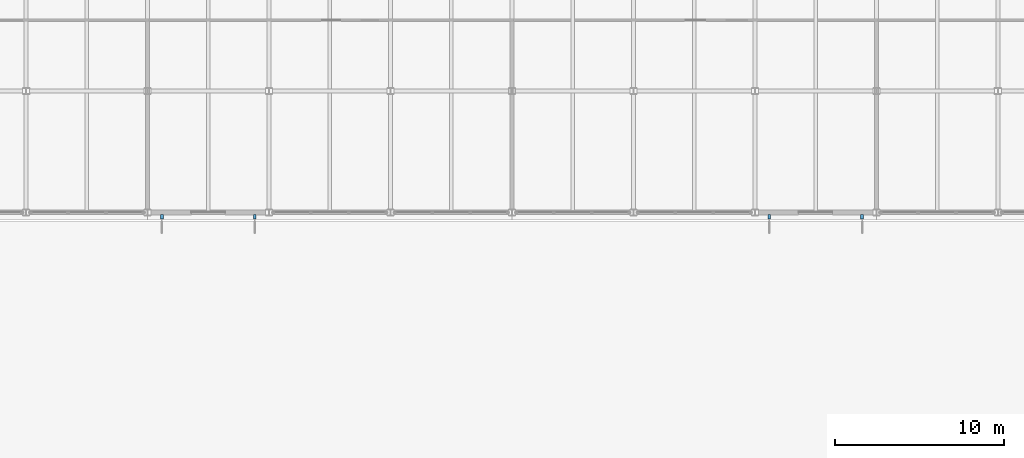
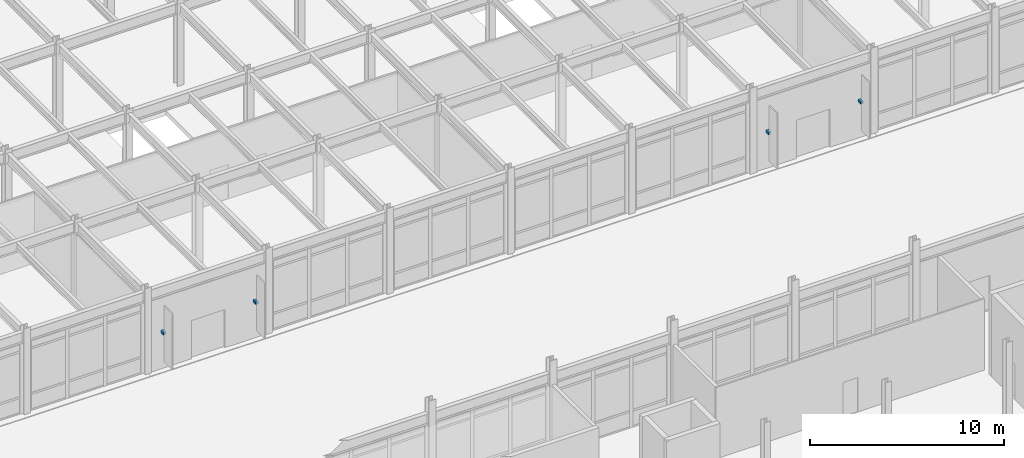
# One storey, part 82 of 104: 4 discrete accessories.
"""IFC4 building model written with IfcOpenShell, lengths in metres."""

from ifc_helpers import new_model, si_unit, direction, frame, origin, origin_2d, place, context, subcontext, project, spatial, rectangle, extrude, material, type_object, element, save


model = new_model("IFC4")

# Units and contexts
model_context = context("Model", 3, precision=1e-05, world=origin(), true_north=direction((0.0, 1.0)))
body_context = subcontext(model_context, "Body", "Model", "MODEL_VIEW")
ifc_project = project(units=[si_unit("LENGTHUNIT", "METRE"), si_unit("AREAUNIT", "SQUARE_METRE"), si_unit("VOLUMEUNIT", "CUBIC_METRE"), si_unit("PLANEANGLEUNIT", "RADIAN"), si_unit("MASSUNIT", "GRAM", prefix="KILO")], contexts=[model_context])

# Site, building, storey
site_placement = place(None, origin())
site = spatial("IfcSite", under=ifc_project, at=site_placement, CompositionType="ELEMENT")
building_placement = place(site_placement, origin())
building = spatial("IfcBuilding", under=site, at=building_placement, Name="Vaelcorin Mobility Hub", CompositionType="ELEMENT")
storey_placement = place(building_placement, origin())
storey = spatial("IfcBuildingStorey", under=building, at=storey_placement, Name="L00", CompositionType="ELEMENT", Elevation=0.0)

# Discrete accessories
ifc_material = material(Name="Galvanised structural steel ASTM A36", Category="steel")
discrete_accessory_type = type_object("IfcDiscreteAccessoryType", Name="ACC-BRK-FIN", PredefinedType="BRACKET", material=ifc_material)
for number, where, z_axis, x_axis, name in (
    (1, (58.449951171875, 76.5400390625, 2.27001953125), (0.0, 0.0, 1.0), (1.0, 0.0, 0.0), "Mobility Entry Fin Bracket 05"),
    (2, (63.949951171875, 76.5400390625, 2.27001953125), (0.0, 0.0, 1.0), (1.0, 0.0, 0.0), "Mobility Entry Fin Bracket 06"),
    (3, (94.449951171875, 76.5400390625, 2.27001953125), (0.0, 0.0, 1.0), (1.0, 0.0, 0.0), "Mobility Entry Fin Bracket 07"),
    (4, (99.949951171875, 76.5400390625, 2.27001953125), (0.0, 0.0, 1.0), (1.0, 0.0, 0.0), "Mobility Entry Fin Bracket 08"),
):
    element("IfcDiscreteAccessory", number, at=place(storey_placement, frame(where, z_axis=z_axis, x_axis=x_axis)), inside=storey, type_object=discrete_accessory_type, Name=name, PredefinedType="BRACKET", context=body_context, shape_type="SweptSolid", body=[
        extrude(rectangle(XDim=0.159912109375, YDim=0.280029296875, at=origin_2d()), origin(), (0.0, 0.0, 1.0), 0.159912109375),
    ])

save(model, "model.ifc")
